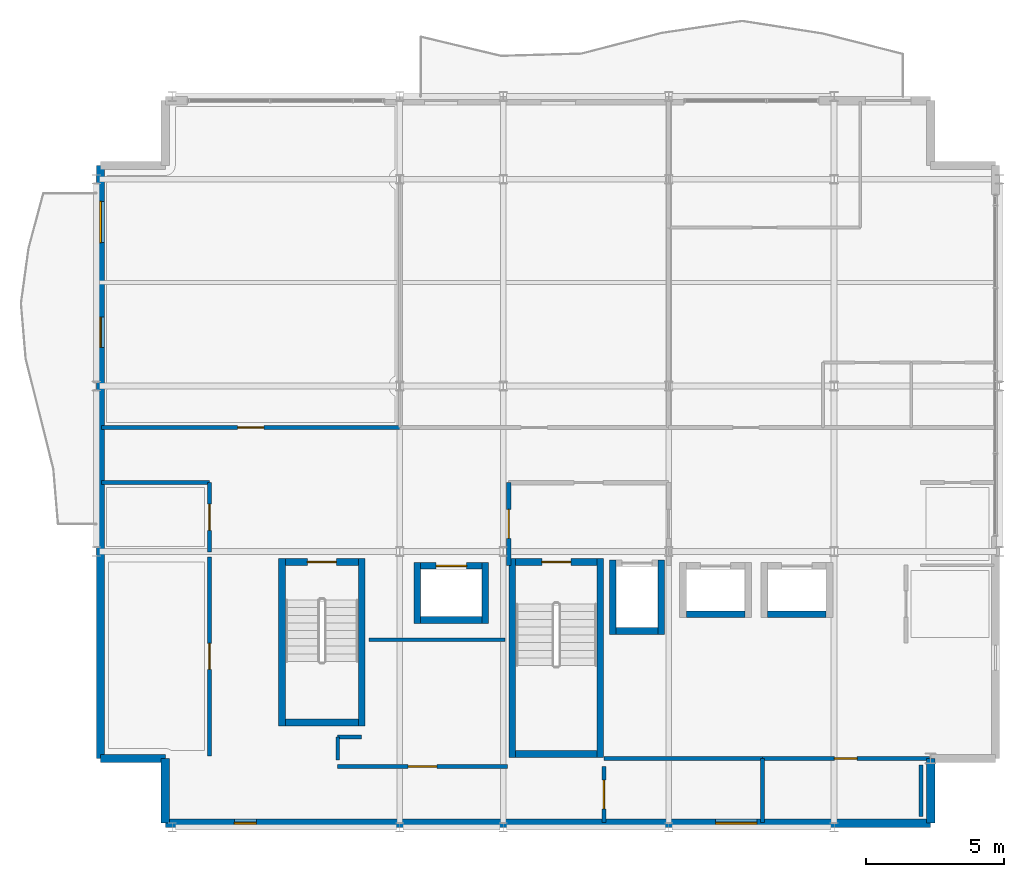
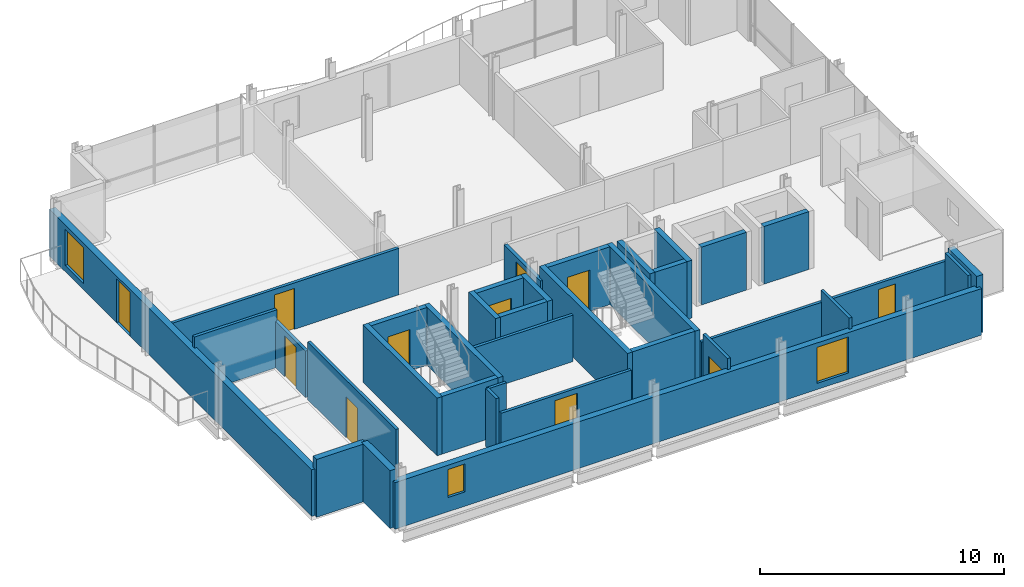
# One storey, part 8 of 12: 36 walls, 11 doors, 3 windows, 14 openings.
"""IFC4 building model written with IfcOpenShell, lengths in metres."""

from ifc_helpers import new_model, si_unit, direction, frame, frame_2d, origin, place, context, subcontext, project, spatial, rectangle, extrude, material, layer, layer_set, type_object, element, fill, save


model = new_model("IFC4")

# Units and contexts
model_context = context("Model", 3, precision=1e-05, world=origin(), true_north=direction((0.0, 1.0)))
body_context = subcontext(model_context, "Body", "Model", "MODEL_VIEW")
ifc_project = project(units=[si_unit("LENGTHUNIT", "METRE"), si_unit("AREAUNIT", "SQUARE_METRE"), si_unit("VOLUMEUNIT", "CUBIC_METRE"), si_unit("PLANEANGLEUNIT", "RADIAN"), si_unit("MASSUNIT", "GRAM", prefix="KILO")], contexts=[model_context])

# Site, building, storey
site_placement = place(None, origin())
site = spatial("IfcSite", under=ifc_project, at=site_placement, CompositionType="ELEMENT")
building_placement = place(site_placement, origin())
building = spatial("IfcBuilding", under=site, at=building_placement, Name="Brevholm Reach", CompositionType="ELEMENT")
storey_placement = place(building_placement, frame((0.0, 0.0, 233.5)))
storey = spatial("IfcBuildingStorey", under=building, at=storey_placement, Name="L71", CompositionType="ELEMENT", Elevation=233.5)

# Walls
ifc_material_1 = material(Name="Concrete C45/55", Category="concrete")
ifc_layer_1 = layer(ifc_material_1, 0.239990234375)
ifc_layer_set_1 = layer_set([ifc_layer_1], Name="Concrete C45/55")
wall_type_1 = type_object("IfcWallType", Name="WAL-COR-240", PredefinedType="SHEAR", material=ifc_layer_set_1)
for number, where, z_axis, x_axis, name in (
    (1, (42.330078125, 2.5400390625, 0.0), (0.0, 0.0, 1.0), (0.0, 1.0, 0.0), "L71 Escape Stair ST-2 Core Wall W"),
    (2, (45.52001953125, 2.5400390625, 0.0), (0.0, 0.0, 1.0), (0.0, 1.0, 0.0), "L71 Escape Stair ST-2 Core Wall E"),
):
    element("IfcWall", number, at=place(storey_placement, frame(where, z_axis=z_axis, x_axis=x_axis)), inside=storey, type_object=wall_type_1, Name=name, PredefinedType="SHEAR", context=body_context, shape_type="SweptSolid", body=[
        extrude(rectangle(XDim=7.199951171875, YDim=0.239990234375, at=frame_2d((3.60009765625, 0.0))), origin(), (0.0, 0.0, 1.0), 2.889892578125),
    ])
wall_1_placement = place(storey_placement, frame((42.449951171875, 2.659912109375, 0.0), z_axis=(0.0, 0.0, 1.0), x_axis=(1.0, 0.0, 0.0)))
element("IfcWall", 3, at=wall_1_placement, inside=storey, type_object=wall_type_1, Name="L71 Escape Stair ST-2 Core Wall S", PredefinedType="SHEAR", context=body_context, shape_type="SweptSolid", body=[
    extrude(rectangle(XDim=2.949951171875, YDim=0.239990234375, at=frame_2d((1.47509765625, 0.0))), origin(), (0.0, 0.0, 1.0), 2.889892578125),
])

# Wall, opening, door
wall_2_placement = place(storey_placement, frame((45.39990234375, 9.6201171875, 0.0), z_axis=(0.0, 0.0, 1.0), x_axis=(-1.0, 0.0, 0.0)))
wall_2 = element("IfcWall", 4, at=wall_2_placement, inside=storey, type_object=wall_type_1, Name="L71 Escape Stair ST-2 Core Wall N", PredefinedType="SHEAR", context=body_context, shape_type="SweptSolid", body=[
    extrude(rectangle(XDim=2.949951171875, YDim=0.239990234375, at=frame_2d((1.47509765625, 0.0))), origin(), (0.0, 0.0, 1.0), 2.889892578125),
])
opening_1_placement = place(wall_2_placement, frame((0.949951171875, 0.0, 0.0)))
opening_1 = element("IfcOpeningElement", 5, at=opening_1_placement, cuts=wall_2, Name="Opening SD-ST-2", PredefinedType="OPENING", context=body_context, shape_type="SweptSolid", body=[
    extrude(rectangle(XDim=1.050048828125, YDim=2.06005859375, at=frame_2d((0.52490234375, 1.030029296875))), frame((0.0, 0.1298828125, 0.0), z_axis=(0.0, -1.0, 0.0), x_axis=(1.0, 0.0, 0.0)), (0.0, 0.0, 1.0), 0.260009765625),
])
ifc_material_2 = material(Name="Hardwood-Lipped Steel-Core Fire and Smoke Door", Category="steel")
door_type_1 = type_object("IfcDoorType", Name="DOR-INT-FD60S", OperationType="NOTDEFINED", PredefinedType="DOOR", material=ifc_material_2)
door_1_placement = place(opening_1_placement, origin())
door_1 = element("IfcDoor", 6, at=door_1_placement, inside=storey, type_object=door_type_1, Name="L71 Protected Stair ST-2 Lobby Door", OperationType="SINGLE_SWING_RIGHT", OverallHeight=2.06005859375, OverallWidth=1.050048828125, PredefinedType="DOOR", context=body_context, shape_type="SweptSolid", body=[
    extrude(rectangle(XDim=1.050048828125, YDim=2.06005859375, at=frame_2d((0.52490234375, 1.030029296875))), frame((0.0, 0.02490234375, 0.0), z_axis=(0.0, -1.0, 0.0), x_axis=(1.0, 0.0, 0.0)), (0.0, 0.0, 1.0), 0.050048828125),
])
fill(opening_1, door_1)

# Walls
for number, where, z_axis, x_axis, name in (
    (7, (33.97998046875, 3.679931640625, 0.0), (0.0, 0.0, 1.0), (0.0, 1.0, 0.0), "L71 Escape Stair ST-3 Core Wall W"),
    (8, (36.8701171875, 3.679931640625, 0.0), (0.0, 0.0, 1.0), (0.0, 1.0, 0.0), "L71 Escape Stair ST-3 Core Wall E"),
):
    element("IfcWall", number, at=place(storey_placement, frame(where, z_axis=z_axis, x_axis=x_axis)), inside=storey, type_object=wall_type_1, Name=name, PredefinedType="SHEAR", context=body_context, shape_type="SweptSolid", body=[
        extrude(rectangle(XDim=6.06005859375, YDim=0.239990234375, at=frame_2d((3.030029296875, 0.0))), origin(), (0.0, 0.0, 1.0), 2.889892578125),
    ])
wall_3_placement = place(storey_placement, frame((34.10009765625, 3.800048828125, 0.0), z_axis=(0.0, 0.0, 1.0), x_axis=(1.0, 0.0, 0.0)))
element("IfcWall", 9, at=wall_3_placement, inside=storey, type_object=wall_type_1, Name="L71 Escape Stair ST-3 Core Wall S", PredefinedType="SHEAR", context=body_context, shape_type="SweptSolid", body=[
    extrude(rectangle(XDim=2.64990234375, YDim=0.239990234375, at=frame_2d((1.324951171875, 0.0))), origin(), (0.0, 0.0, 1.0), 2.889892578125),
])

# Wall, opening, door
wall_4_placement = place(storey_placement, frame((36.75, 9.6201171875, 0.0), z_axis=(0.0, 0.0, 1.0), x_axis=(-1.0, 0.0, 0.0)))
wall_4 = element("IfcWall", 10, at=wall_4_placement, inside=storey, type_object=wall_type_1, Name="L71 Escape Stair ST-3 Core Wall N", PredefinedType="SHEAR", context=body_context, shape_type="SweptSolid", body=[
    extrude(rectangle(XDim=2.64990234375, YDim=0.239990234375, at=frame_2d((1.324951171875, 0.0))), origin(), (0.0, 0.0, 1.0), 2.889892578125),
])
opening_2_placement = place(wall_4_placement, frame((0.800048828125, 0.0, 0.0)))
opening_2 = element("IfcOpeningElement", 11, at=opening_2_placement, cuts=wall_4, Name="Opening SD-ST-3", PredefinedType="OPENING", context=body_context, shape_type="SweptSolid", body=[
    extrude(rectangle(XDim=1.050048828125, YDim=2.06005859375, at=frame_2d((0.52490234375, 1.030029296875))), frame((0.0, 0.1298828125, 0.0), z_axis=(0.0, -1.0, 0.0), x_axis=(1.0, 0.0, 0.0)), (0.0, 0.0, 1.0), 0.260009765625),
])
door_2_placement = place(opening_2_placement, origin())
door_2 = element("IfcDoor", 12, at=door_2_placement, inside=storey, type_object=door_type_1, Name="L71 Protected Stair ST-3 Lobby Door", OperationType="SINGLE_SWING_RIGHT", OverallHeight=2.06005859375, OverallWidth=1.050048828125, PredefinedType="DOOR", context=body_context, shape_type="SweptSolid", body=[
    extrude(rectangle(XDim=1.050048828125, YDim=2.06005859375, at=frame_2d((0.52490234375, 1.030029296875))), frame((0.0, 0.02490234375, 0.0), z_axis=(0.0, -1.0, 0.0), x_axis=(1.0, 0.0, 0.0)), (0.0, 0.0, 1.0), 0.050048828125),
])
fill(opening_2, door_2)

# Walls
for number, where, z_axis, x_axis, name in (
    (13, (45.969970703125, 7.0, 0.0), (0.0, 0.0, 1.0), (0.0, 1.0, 0.0), "L71 Lift FFL-2 Shaft Wall W"),
    (14, (47.72998046875, 7.0, 0.0), (0.0, 0.0, 1.0), (0.0, 1.0, 0.0), "L71 Lift FFL-2 Shaft Wall E"),
):
    element("IfcWall", number, at=place(storey_placement, frame(where, z_axis=z_axis, x_axis=x_axis)), inside=storey, type_object=wall_type_1, Name=name, PredefinedType="SHEAR", context=body_context, shape_type="SweptSolid", body=[
        extrude(rectangle(XDim=2.699951171875, YDim=0.239990234375, at=frame_2d((1.35009765625, 0.0))), origin(), (0.0, 0.0, 1.0), 2.889892578125),
    ])
wall_5_placement = place(storey_placement, frame((46.090087890625, 7.1201171875, 0.0), z_axis=(0.0, 0.0, 1.0), x_axis=(1.0, 0.0, 0.0)))
element("IfcWall", 15, at=wall_5_placement, inside=storey, type_object=wall_type_1, Name="L71 Lift FFL-2 Shaft Wall S", PredefinedType="SHEAR", context=body_context, shape_type="SweptSolid", body=[
    extrude(rectangle(XDim=1.52001953125, YDim=0.239990234375, at=frame_2d((0.760009765625, 0.0))), origin(), (0.0, 0.0, 1.0), 2.889892578125),
])
for number, where, z_axis, x_axis, name in (
    (16, (38.889892578125, 7.39990234375, 0.0), (0.0, 0.0, 1.0), (0.0, 1.0, 0.0), "L71 Lift PL-S1 Shaft Wall W"),
    (17, (41.35009765625, 7.39990234375, 0.0), (0.0, 0.0, 1.0), (0.0, 1.0, 0.0), "L71 Lift PL-S1 Shaft Wall E"),
):
    element("IfcWall", number, at=place(storey_placement, frame(where, z_axis=z_axis, x_axis=x_axis)), inside=storey, type_object=wall_type_1, Name=name, PredefinedType="SHEAR", context=body_context, shape_type="SweptSolid", body=[
        extrude(rectangle(XDim=2.2001953125, YDim=0.239990234375, at=frame_2d((1.10009765625, 0.0))), origin(), (0.0, 0.0, 1.0), 2.889892578125),
    ])
wall_6_placement = place(storey_placement, frame((39.010009765625, 7.52001953125, 0.0), z_axis=(0.0, 0.0, 1.0), x_axis=(1.0, 0.0, 0.0)))
element("IfcWall", 18, at=wall_6_placement, inside=storey, type_object=wall_type_1, Name="L71 Lift PL-S1 Shaft Wall S", PredefinedType="SHEAR", context=body_context, shape_type="SweptSolid", body=[
    extrude(rectangle(XDim=2.219970703125, YDim=0.239990234375, at=frame_2d((1.10986328125, 0.0))), origin(), (0.0, 0.0, 1.0), 2.889892578125),
])

# Wall, opening, door
wall_7_placement = place(storey_placement, frame((39.010009765625, 9.47998046875, 0.0), z_axis=(0.0, 0.0, 1.0), x_axis=(1.0, 0.0, 0.0)))
wall_7 = element("IfcWall", 19, at=wall_7_placement, inside=storey, type_object=wall_type_1, Name="L71 Lift PL-S1 Shaft Wall N", PredefinedType="SHEAR", context=body_context, shape_type="SweptSolid", body=[
    extrude(rectangle(XDim=2.219970703125, YDim=0.239990234375, at=frame_2d((1.10986328125, 0.0))), origin(), (0.0, 0.0, 1.0), 2.889892578125),
])
opening_3_placement = place(wall_7_placement, frame((0.56005859375, 0.0, 0.0)))
opening_3 = element("IfcOpeningElement", 20, at=opening_3_placement, cuts=wall_7, Name="Opening LD-PL-S1", PredefinedType="OPENING", context=body_context, shape_type="SweptSolid", body=[
    extrude(rectangle(XDim=1.10009765625, YDim=2.06005859375, at=frame_2d((0.550048828125, 1.030029296875))), frame((0.0, 0.1298828125, 0.0), z_axis=(0.0, -1.0, 0.0), x_axis=(1.0, 0.0, 0.0)), (0.0, 0.0, 1.0), 0.260009765625),
])
ifc_material_3 = material(Name="Brushed Stainless Steel Fire-Rated Sliding Lift Door", Category="steel")
door_type_2 = type_object("IfcDoorType", Name="DOR-LFT-1100", OperationType="NOTDEFINED", PredefinedType="DOOR", material=ifc_material_3)
door_3_placement = place(opening_3_placement, origin())
door_3 = element("IfcDoor", 21, at=door_3_placement, inside=storey, type_object=door_type_2, Name="L71 Lift PL-S1 Sliding Landing Door", OperationType="SLIDING_TO_LEFT", OverallHeight=2.06005859375, OverallWidth=1.10009765625, PredefinedType="DOOR", context=body_context, shape_type="SweptSolid", body=[
    extrude(rectangle(XDim=1.10009765625, YDim=2.06005859375, at=frame_2d((0.550048828125, 1.030029296875))), frame((0.0, 0.02490234375, 0.0), z_axis=(0.0, -1.0, 0.0), x_axis=(1.0, 0.0, 0.0)), (0.0, 0.0, 1.0), 0.050048828125),
])
fill(opening_3, door_3)

# Walls
wall_8_placement = place(storey_placement, frame((48.639892578125, 7.719970703125, 0.0), z_axis=(0.0, 0.0, 1.0), x_axis=(1.0, 0.0, 0.0)))
element("IfcWall", 22, at=wall_8_placement, inside=storey, type_object=wall_type_1, Name="L71 Lift PL-H1 Shaft Wall S", PredefinedType="SHEAR", context=body_context, shape_type="SweptSolid", body=[
    extrude(rectangle(XDim=2.1201171875, YDim=0.239990234375, at=frame_2d((1.06005859375, 0.0))), origin(), (0.0, 0.0, 1.0), 2.889892578125),
])
wall_9_placement = place(storey_placement, frame((51.590087890625, 7.719970703125, 0.0), z_axis=(0.0, 0.0, 1.0), x_axis=(1.0, 0.0, 0.0)))
element("IfcWall", 23, at=wall_9_placement, inside=storey, type_object=wall_type_1, Name="L71 Lift PL-H2 Shaft Wall S", PredefinedType="SHEAR", context=body_context, shape_type="SweptSolid", body=[
    extrude(rectangle(XDim=2.119873046875, YDim=0.239990234375, at=frame_2d((1.06005859375, 0.0))), origin(), (0.0, 0.0, 1.0), 2.889892578125),
])
ifc_material_4 = material(Name="Concrete C40/50", Category="concrete")
ifc_layer_2 = layer(ifc_material_4, 0.300048828125)
ifc_layer_set_2 = layer_set([ifc_layer_2], Name="Concrete C40/50")
wall_type_2 = type_object("IfcWallType", Name="WAL-EXT-300", PredefinedType="STANDARD", material=ifc_layer_set_2)
for number, where, z_axis, x_axis, name in (
    (24, (29.75, 2.5, 0.0), (0.0, 0.0, 1.0), (0.0, -1.0, 0.0), "L71 Facade Wall WAL-L71-CSW1"),
    (25, (27.39990234375, 2.5, 0.0), (0.0, 0.0, 1.0), (1.0, 0.0, 0.0), "L71 Facade Wall WAL-L71-CSW2"),
    (26, (57.5, 0.14990234375, 0.0), (0.0, 0.0, 1.0), (0.0, 1.0, 0.0), "L71 Facade Wall WAL-L71-CSE1"),
):
    element("IfcWall", number, at=place(storey_placement, frame(where, z_axis=z_axis, x_axis=x_axis)), inside=storey, type_object=wall_type_2, Name=name, PredefinedType="STANDARD", context=body_context, shape_type="SweptSolid", body=[
        extrude(rectangle(XDim=2.35009765625, YDim=0.300048828125, at=frame_2d((1.175048828125, 0.0))), origin(), (0.0, 0.0, 1.0), 2.889892578125),
    ])

# Wall, openings, windows
wall_10_placement = place(storey_placement, frame((29.75, 0.14990234375, 0.0), z_axis=(0.0, 0.0, 1.0), x_axis=(1.0, 0.0, 0.0)))
wall_10 = element("IfcWall", 27, at=wall_10_placement, inside=storey, type_object=wall_type_2, Name="L71 Facade Wall WAL-L71-S", PredefinedType="STANDARD", context=body_context, shape_type="SweptSolid", body=[
    extrude(rectangle(XDim=27.75, YDim=0.300048828125, at=frame_2d((13.875, 0.0))), origin(), (0.0, 0.0, 1.0), 2.331787109375),
])
opening_4_placement = place(wall_10_placement, frame((2.5, 0.0, 0.7119140625)))
opening_4 = element("IfcOpeningElement", 28, at=opening_4_placement, cuts=wall_10, Name="Opening WN-11", PredefinedType="OPENING", context=body_context, shape_type="SweptSolid", body=[
    extrude(rectangle(XDim=0.800048828125, YDim=1.39990234375, at=frame_2d((0.39990234375, 0.699951171875))), frame((0.0, 0.159912109375, 0.0), z_axis=(0.0, -1.0, 0.0), x_axis=(1.0, 0.0, 0.0)), (0.0, 0.0, 1.0), 0.320068359375),
])
opening_5_placement = place(wall_10_placement, frame((19.949951171875, 0.0, 0.31201171875)))
opening_5 = element("IfcOpeningElement", 29, at=opening_5_placement, cuts=wall_10, Name="Opening WN-05", PredefinedType="OPENING", context=body_context, shape_type="SweptSolid", body=[
    extrude(rectangle(XDim=1.5, YDim=1.800048828125, at=frame_2d((0.75, 0.89990234375))), frame((0.0, 0.159912109375, 0.0), z_axis=(0.0, -1.0, 0.0), x_axis=(1.0, 0.0, 0.0)), (0.0, 0.0, 1.0), 0.320068359375),
])
ifc_material_5 = material(Name="Dark Anodised Aluminium and Solar-Control IGU Glass", Category="aluminium")
window_type_1 = type_object("IfcWindowType", Name="WIN-COR-0800", PartitioningType="SINGLE_PANEL", PredefinedType="WINDOW", material=ifc_material_5)
window_1_placement = place(opening_4_placement, origin())
window_1 = element("IfcWindow", 30, at=window_1_placement, inside=storey, type_object=window_type_1, Name="L71 Window WIN-L71-S-1", OverallHeight=1.39990234375, OverallWidth=0.800048828125, PartitioningType="SINGLE_PANEL", PredefinedType="WINDOW", context=body_context, shape_type="SweptSolid", body=[
    extrude(rectangle(XDim=0.800048828125, YDim=1.39990234375, at=frame_2d((0.39990234375, 0.699951171875))), frame((0.0, 0.030029296875, 0.0), z_axis=(0.0, -1.0, 0.0), x_axis=(1.0, 0.0, 0.0)), (0.0, 0.0, 1.0), 0.06005859375),
])
fill(opening_4, window_1)
ifc_material_6 = material(Name="Dark Anodised Aluminium and Solar-Control IGU Glass", Category="aluminium")
window_type_2 = type_object("IfcWindowType", Name="WIN-RES-1500", PartitioningType="SINGLE_PANEL", PredefinedType="WINDOW", material=ifc_material_6)
window_2_placement = place(opening_5_placement, origin())
window_2 = element("IfcWindow", 31, at=window_2_placement, inside=storey, type_object=window_type_2, Name="L71 Window WIN-L71-S-2", OverallHeight=1.800048828125, OverallWidth=1.5, PartitioningType="SINGLE_PANEL", PredefinedType="WINDOW", context=body_context, shape_type="SweptSolid", body=[
    extrude(rectangle(XDim=1.5, YDim=1.800048828125, at=frame_2d((0.75, 0.89990234375))), frame((0.0, 0.030029296875, 0.0), z_axis=(0.0, -1.0, 0.0), x_axis=(1.0, 0.0, 0.0)), (0.0, 0.0, 1.0), 0.06005859375),
])
fill(opening_5, window_2)

# Wall, openings, door, window
wall_11_placement = place(storey_placement, frame((27.39990234375, 24.0, 0.0), z_axis=(0.0, 0.0, 1.0), x_axis=(0.0, -1.0, 0.0)))
wall_11 = element("IfcWall", 32, at=wall_11_placement, inside=storey, type_object=wall_type_2, Name="L71 Facade Wall WAL-L71-W", PredefinedType="STANDARD", context=body_context, shape_type="SweptSolid", body=[
    extrude(rectangle(XDim=21.5, YDim=0.300048828125, at=frame_2d((10.75, 0.0))), origin(), (0.0, 0.0, 1.0), 2.331787109375),
])
opening_6_placement = place(wall_11_placement, frame((5.5, 0.0, 0.0)))
opening_6 = element("IfcOpeningElement", 33, at=opening_6_placement, cuts=wall_11, Name="Opening BD-01", PredefinedType="OPENING", context=body_context, shape_type="SweptSolid", body=[
    extrude(rectangle(XDim=1.10009765625, YDim=2.199951171875, at=frame_2d((0.550048828125, 1.10009765625))), frame((0.0, 0.159912109375, 0.0), z_axis=(0.0, -1.0, 0.0), x_axis=(1.0, 0.0, 0.0)), (0.0, 0.0, 1.0), 0.320068359375),
])
opening_7_placement = place(wall_11_placement, frame((1.300048828125, 0.0, 0.31201171875)))
opening_7 = element("IfcOpeningElement", 34, at=opening_7_placement, cuts=wall_11, Name="Opening WN-05", PredefinedType="OPENING", context=body_context, shape_type="SweptSolid", body=[
    extrude(rectangle(XDim=1.5, YDim=1.800048828125, at=frame_2d((0.75, 0.89990234375))), frame((0.0, 0.159912109375, 0.0), z_axis=(0.0, -1.0, 0.0), x_axis=(1.0, 0.0, 0.0)), (0.0, 0.0, 1.0), 0.320068359375),
])
ifc_material_7 = material(Name="Dark Anodised Aluminium and Triple-Glazed Glass", Category="aluminium")
door_type_3 = type_object("IfcDoorType", Name="DOR-BALC-1100", OperationType="NOTDEFINED", PredefinedType="DOOR", material=ifc_material_7)
door_4_placement = place(opening_6_placement, origin())
door_4 = element("IfcDoor", 35, at=door_4_placement, inside=storey, type_object=door_type_3, Name="L71 Exterior Door DOR-L71-SLOT", OperationType="SINGLE_SWING_LEFT", OverallHeight=2.199951171875, OverallWidth=1.10009765625, PredefinedType="DOOR", context=body_context, shape_type="SweptSolid", body=[
    extrude(rectangle(XDim=1.10009765625, YDim=2.199951171875, at=frame_2d((0.550048828125, 1.10009765625))), frame((0.0, 0.02490234375, 0.0), z_axis=(0.0, -1.0, 0.0), x_axis=(1.0, 0.0, 0.0)), (0.0, 0.0, 1.0), 0.050048828125),
])
fill(opening_6, door_4)
window_3_placement = place(opening_7_placement, origin())
window_3 = element("IfcWindow", 36, at=window_3_placement, inside=storey, type_object=window_type_2, Name="L71 Window WIN-L71-W-1", OverallHeight=1.800048828125, OverallWidth=1.5, PartitioningType="SINGLE_PANEL", PredefinedType="WINDOW", context=body_context, shape_type="SweptSolid", body=[
    extrude(rectangle(XDim=1.5, YDim=1.800048828125, at=frame_2d((0.75, 0.89990234375))), frame((0.0, 0.030029296875, 0.0), z_axis=(0.0, -1.0, 0.0), x_axis=(1.0, 0.0, 0.0)), (0.0, 0.0, 1.0), 0.06005859375),
])
fill(opening_7, window_3)

# Wall, opening, door
ifc_material_8 = material(Name="Twin-Stud Acoustic Fire-Rated Gypsum Partition 140 mm", Category="gypsum")
ifc_layer_3 = layer(ifc_material_8, 0.139892578125)
ifc_layer_set_3 = layer_set([ifc_layer_3], Name="Twin-Stud Acoustic Fire-Rated Gypsum Partition 140 mm")
wall_type_3 = type_object("IfcWallType", Name="WAL-PRT-140", PredefinedType="PARTITIONING", material=ifc_layer_set_3)
wall_12_placement = place(storey_placement, frame((31.35009765625, 2.588623046875, 0.0), z_axis=(0.0, 0.0, 1.0), x_axis=(0.0, 1.0, 0.0)))
wall_12 = element("IfcWall", 37, at=wall_12_placement, inside=storey, type_object=wall_type_3, Name="L71 Internal Partition 001", PredefinedType="PARTITIONING", context=body_context, shape_type="SweptSolid", body=[
    extrude(rectangle(XDim=7.22265625, YDim=0.139892578125, at=frame_2d((3.611328125, 0.0))), origin(), (0.0, 0.0, 1.0), 2.889892578125),
])
opening_8_placement = place(wall_12_placement, frame((3.13623046875, 0.0, 0.0)))
opening_8 = element("IfcOpeningElement", 38, at=opening_8_placement, cuts=wall_12, Name="Opening ID-30", PredefinedType="OPENING", context=body_context, shape_type="SweptSolid", body=[
    extrude(rectangle(XDim=0.949951171875, YDim=2.050048828125, at=frame_2d((0.47509765625, 1.02490234375))), frame((0.0, 0.079833984375, 0.0), z_axis=(0.0, -1.0, 0.0), x_axis=(1.0, 0.0, 0.0)), (0.0, 0.0, 1.0), 0.159912109375),
])
ifc_material_9 = material(Name="European Oak Veneered Solid-Core Fire Entrance Door", Category="timber")
door_type_4 = type_object("IfcDoorType", Name="DOR-FLT-FD30S", OperationType="NOTDEFINED", PredefinedType="DOOR", material=ifc_material_9)
door_5_placement = place(opening_8_placement, origin())
door_5 = element("IfcDoor", 39, at=door_5_placement, inside=storey, type_object=door_type_4, Name="L71 Internal Door 001", OperationType="SINGLE_SWING_LEFT", OverallHeight=2.050048828125, OverallWidth=0.949951171875, PredefinedType="DOOR", context=body_context, shape_type="SweptSolid", body=[
    extrude(rectangle(XDim=0.949951171875, YDim=2.050048828125, at=frame_2d((0.47509765625, 1.02490234375))), frame((0.0, 0.02490234375, 0.0), z_axis=(0.0, -1.0, 0.0), x_axis=(1.0, 0.0, 0.0)), (0.0, 0.0, 1.0), 0.050048828125),
])
fill(opening_8, door_5)

wall_13_placement = place(storey_placement, frame((31.35009765625, 9.98876953125, 0.0), z_axis=(0.0, 0.0, 1.0), x_axis=(0.0, 1.0, 0.0)))
wall_13 = element("IfcWall", 40, at=wall_13_placement, inside=storey, type_object=wall_type_3, Name="L71 Internal Partition 002", PredefinedType="PARTITIONING", context=body_context, shape_type="SweptSolid", body=[
    extrude(rectangle(XDim=2.51123046875, YDim=0.139892578125, at=frame_2d((1.255615234375, 0.0))), origin(), (0.0, 0.0, 1.0), 2.325439453125),
])
opening_9_placement = place(wall_13_placement, frame((0.78076171875, 0.0, 0.0)))
opening_9 = element("IfcOpeningElement", 41, at=opening_9_placement, cuts=wall_13, Name="Opening ID-30", PredefinedType="OPENING", context=body_context, shape_type="SweptSolid", body=[
    extrude(rectangle(XDim=0.949951171875, YDim=2.050048828125, at=frame_2d((0.47509765625, 1.02490234375))), frame((0.0, 0.079833984375, 0.0), z_axis=(0.0, -1.0, 0.0), x_axis=(1.0, 0.0, 0.0)), (0.0, 0.0, 1.0), 0.159912109375),
])
door_6_placement = place(opening_9_placement, origin())
door_6 = element("IfcDoor", 42, at=door_6_placement, inside=storey, type_object=door_type_4, Name="L71 Internal Door 002", OperationType="SINGLE_SWING_RIGHT", OverallHeight=2.050048828125, OverallWidth=0.949951171875, PredefinedType="DOOR", context=body_context, shape_type="SweptSolid", body=[
    extrude(rectangle(XDim=0.949951171875, YDim=2.050048828125, at=frame_2d((0.47509765625, 1.02490234375))), frame((0.0, 0.02490234375, 0.0), z_axis=(0.0, -1.0, 0.0), x_axis=(1.0, 0.0, 0.0)), (0.0, 0.0, 1.0), 0.050048828125),
])
fill(opening_9, door_6)

wall_14_placement = place(storey_placement, frame((35.98876953125, 2.199951171875, 0.0), z_axis=(0.0, 0.0, 1.0), x_axis=(1.0, 0.0, 0.0)))
wall_14 = element("IfcWall", 43, at=wall_14_placement, inside=storey, type_object=wall_type_3, Name="L71 Internal Partition 003", PredefinedType="PARTITIONING", context=body_context, shape_type="SweptSolid", body=[
    extrude(rectangle(XDim=6.172607421875, YDim=0.139892578125, at=frame_2d((3.08642578125, 0.0))), origin(), (0.0, 0.0, 1.0), 2.325439453125),
])
opening_10_placement = place(wall_14_placement, frame((2.561279296875, 0.0, 0.0)))
opening_10 = element("IfcOpeningElement", 44, at=opening_10_placement, cuts=wall_14, Name="Opening FD-01", PredefinedType="OPENING", context=body_context, shape_type="SweptSolid", body=[
    extrude(rectangle(XDim=1.050048828125, YDim=2.06005859375, at=frame_2d((0.52490234375, 1.030029296875))), frame((0.0, 0.079833984375, 0.0), z_axis=(0.0, -1.0, 0.0), x_axis=(1.0, 0.0, 0.0)), (0.0, 0.0, 1.0), 0.159912109375),
])
door_7_placement = place(opening_10_placement, origin())
door_7 = element("IfcDoor", 45, at=door_7_placement, inside=storey, type_object=door_type_1, Name="L71 Internal Door 003", OperationType="SINGLE_SWING_LEFT", OverallHeight=2.06005859375, OverallWidth=1.050048828125, PredefinedType="DOOR", context=body_context, shape_type="SweptSolid", body=[
    extrude(rectangle(XDim=1.050048828125, YDim=2.06005859375, at=frame_2d((0.52490234375, 1.030029296875))), frame((0.0, 0.02490234375, 0.0), z_axis=(0.0, -1.0, 0.0), x_axis=(1.0, 0.0, 0.0)), (0.0, 0.0, 1.0), 0.050048828125),
])
fill(opening_10, door_7)

wall_15_placement = place(storey_placement, frame((45.64990234375, 0.179931640625, 0.0), z_axis=(0.0, 0.0, 1.0), x_axis=(0.0, 1.0, 0.0)))
wall_15 = element("IfcWall", 46, at=wall_15_placement, inside=storey, type_object=wall_type_3, Name="L71 Internal Partition 004", PredefinedType="PARTITIONING", context=body_context, shape_type="SweptSolid", body=[
    extrude(rectangle(XDim=2.02001953125, YDim=0.139892578125, at=frame_2d((1.010009765625, 0.0))), origin(), (0.0, 0.0, 1.0), 2.889892578125),
])
opening_11_placement = place(wall_15_placement, frame((0.485107421875, 0.0, 0.0)))
opening_11 = element("IfcOpeningElement", 47, at=opening_11_placement, cuts=wall_15, Name="Opening FD-01", PredefinedType="OPENING", context=body_context, shape_type="SweptSolid", body=[
    extrude(rectangle(XDim=1.050048828125, YDim=2.06005859375, at=frame_2d((0.52490234375, 1.030029296875))), frame((0.0, 0.079833984375, 0.0), z_axis=(0.0, -1.0, 0.0), x_axis=(1.0, 0.0, 0.0)), (0.0, 0.0, 1.0), 0.159912109375),
])
door_8_placement = place(opening_11_placement, origin())
door_8 = element("IfcDoor", 48, at=door_8_placement, inside=storey, type_object=door_type_1, Name="L71 Internal Door 004", OperationType="SINGLE_SWING_RIGHT", OverallHeight=2.06005859375, OverallWidth=1.050048828125, PredefinedType="DOOR", context=body_context, shape_type="SweptSolid", body=[
    extrude(rectangle(XDim=1.050048828125, YDim=2.06005859375, at=frame_2d((0.52490234375, 1.030029296875))), frame((0.0, 0.02490234375, 0.0), z_axis=(0.0, -1.0, 0.0), x_axis=(1.0, 0.0, 0.0)), (0.0, 0.0, 1.0), 0.050048828125),
])
fill(opening_11, door_8)

# Wall
wall_16_placement = place(storey_placement, frame((45.64990234375, 2.5, 0.0), z_axis=(0.0, 0.0, 1.0), x_axis=(1.0, 0.0, 0.0)))
element("IfcWall", 49, at=wall_16_placement, inside=storey, type_object=wall_type_3, Name="L71 Internal Partition 006", PredefinedType="PARTITIONING", context=body_context, shape_type="SweptSolid", body=[
    extrude(rectangle(XDim=5.761474609375, YDim=0.139892578125, at=frame_2d((2.880859375, 0.0))), origin(), (0.0, 0.0, 1.0), 2.325439453125),
])

# Wall, opening, door
wall_17_placement = place(storey_placement, frame((51.392578125, 2.5, 0.0), z_axis=(0.0, 0.0, 1.0), x_axis=(1.0, 0.0, 0.0)))
wall_17 = element("IfcWall", 50, at=wall_17_placement, inside=storey, type_object=wall_type_3, Name="L71 Internal Partition 007", PredefinedType="PARTITIONING", context=body_context, shape_type="SweptSolid", body=[
    extrude(rectangle(XDim=6.057373046875, YDim=0.139892578125, at=frame_2d((3.02880859375, 0.0))), origin(), (0.0, 0.0, 1.0), 2.325439453125),
])
opening_12_placement = place(wall_17_placement, frame((2.61865234375, 0.0, 0.0)))
opening_12 = element("IfcOpeningElement", 51, at=opening_12_placement, cuts=wall_17, Name="Opening ID-02", PredefinedType="OPENING", context=body_context, shape_type="SweptSolid", body=[
    extrude(rectangle(XDim=0.820068359375, YDim=2.02001953125, at=frame_2d((0.41015625, 1.010009765625))), frame((0.0, 0.079833984375, 0.0), z_axis=(0.0, -1.0, 0.0), x_axis=(1.0, 0.0, 0.0)), (0.0, 0.0, 1.0), 0.159912109375),
])
ifc_material_10 = material(Name="Moisture-Resistant Painted Timber Fire-Rated Riser and Service Door", Category="wood")
door_type_5 = type_object("IfcDoorType", Name="DOR-SRV-820", OperationType="NOTDEFINED", PredefinedType="DOOR", material=ifc_material_10)
door_9_placement = place(opening_12_placement, origin())
door_9 = element("IfcDoor", 52, at=door_9_placement, inside=storey, type_object=door_type_5, Name="L71 Internal Door 006", OperationType="SINGLE_SWING_RIGHT", OverallHeight=2.02001953125, OverallWidth=0.820068359375, PredefinedType="DOOR", context=body_context, shape_type="SweptSolid", body=[
    extrude(rectangle(XDim=0.820068359375, YDim=2.02001953125, at=frame_2d((0.41015625, 1.010009765625))), frame((0.0, 0.02490234375, 0.0), z_axis=(0.0, -1.0, 0.0), x_axis=(1.0, 0.0, 0.0)), (0.0, 0.0, 1.0), 0.050048828125),
])
fill(opening_12, door_9)

# Walls
wall_18_placement = place(storey_placement, frame((51.39990234375, 0.179931640625, 0.0), z_axis=(0.0, 0.0, 1.0), x_axis=(0.0, 1.0, 0.0)))
element("IfcWall", 53, at=wall_18_placement, inside=storey, type_object=wall_type_3, Name="L71 Internal Partition 008", PredefinedType="PARTITIONING", context=body_context, shape_type="SweptSolid", body=[
    extrude(rectangle(XDim=2.316162109375, YDim=0.139892578125, at=frame_2d((1.158203125, 0.0))), origin(), (0.0, 0.0, 1.0), 2.889892578125),
])
wall_19_placement = place(storey_placement, frame((27.429931640625, 12.5, 0.0), z_axis=(0.0, 0.0, 1.0), x_axis=(1.0, 0.0, 0.0)))
element("IfcWall", 54, at=wall_19_placement, inside=storey, type_object=wall_type_3, Name="L71 Internal Partition 014", PredefinedType="PARTITIONING", context=body_context, shape_type="SweptSolid", body=[
    extrude(rectangle(XDim=3.916015625, YDim=0.139892578125, at=frame_2d((1.9580078125, 0.0))), origin(), (0.0, 0.0, 1.0), 2.889892578125),
])

# Wall, opening, door
wall_20_placement = place(storey_placement, frame((27.429931640625, 14.5, 0.0), z_axis=(0.0, 0.0, 1.0), x_axis=(1.0, 0.0, 0.0)))
wall_20 = element("IfcWall", 55, at=wall_20_placement, inside=storey, type_object=wall_type_3, Name="L71 Internal Partition 015", PredefinedType="PARTITIONING", context=body_context, shape_type="SweptSolid", body=[
    extrude(rectangle(XDim=10.831298828125, YDim=0.139892578125, at=frame_2d((5.41552734375, 0.0))), origin(), (0.0, 0.0, 1.0), 2.325439453125),
])
opening_13_placement = place(wall_20_placement, frame((4.940673828125, 0.0, 0.0)))
opening_13 = element("IfcOpeningElement", 56, at=opening_13_placement, cuts=wall_20, Name="Opening ID-30", PredefinedType="OPENING", context=body_context, shape_type="SweptSolid", body=[
    extrude(rectangle(XDim=0.949951171875, YDim=2.050048828125, at=frame_2d((0.47509765625, 1.02490234375))), frame((0.0, 0.079833984375, 0.0), z_axis=(0.0, -1.0, 0.0), x_axis=(1.0, 0.0, 0.0)), (0.0, 0.0, 1.0), 0.159912109375),
])
door_10_placement = place(opening_13_placement, origin())
door_10 = element("IfcDoor", 57, at=door_10_placement, inside=storey, type_object=door_type_4, Name="L71 Internal Door 011", OperationType="SINGLE_SWING_LEFT", OverallHeight=2.050048828125, OverallWidth=0.949951171875, PredefinedType="DOOR", context=body_context, shape_type="SweptSolid", body=[
    extrude(rectangle(XDim=0.949951171875, YDim=2.050048828125, at=frame_2d((0.47509765625, 1.02490234375))), frame((0.0, 0.02490234375, 0.0), z_axis=(0.0, -1.0, 0.0), x_axis=(1.0, 0.0, 0.0)), (0.0, 0.0, 1.0), 0.050048828125),
])
fill(opening_13, door_10)

# Walls
wall_21_placement = place(storey_placement, frame((37.139892578125, 6.800048828125, 0.0), z_axis=(0.0, 0.0, 1.0), x_axis=(1.0, 0.0, 0.0)))
element("IfcWall", 58, at=wall_21_placement, inside=storey, type_object=wall_type_3, Name="L71 Internal Partition 029", PredefinedType="PARTITIONING", context=body_context, shape_type="SweptSolid", body=[
    extrude(rectangle(XDim=4.920166015625, YDim=0.139892578125, at=frame_2d((2.4599609375, 0.0))), origin(), (0.0, 0.0, 1.0), 2.325439453125),
])
wall_22_placement = place(storey_placement, frame((36.0, 3.27587890625, 0.0), z_axis=(0.0, 0.0, 1.0), x_axis=(1.0, 0.0, 0.0)))
element("IfcWall", 59, at=wall_22_placement, inside=storey, type_object=wall_type_3, Name="L71 Internal Partition 030", PredefinedType="PARTITIONING", context=body_context, shape_type="SweptSolid", body=[
    extrude(rectangle(XDim=0.8701171875, YDim=0.139892578125, at=frame_2d((0.43505859375, 0.0))), origin(), (0.0, 0.0, 1.0), 2.889892578125),
])
wall_23_placement = place(storey_placement, frame((36.0, 2.43994140625, 0.0), z_axis=(0.0, 0.0, 1.0), x_axis=(0.0, 1.0, 0.0)))
element("IfcWall", 60, at=wall_23_placement, inside=storey, type_object=wall_type_3, Name="L71 Internal Partition 031", PredefinedType="PARTITIONING", context=body_context, shape_type="SweptSolid", body=[
    extrude(rectangle(XDim=0.8359375, YDim=0.139892578125, at=frame_2d((0.41796875, 0.0))), origin(), (0.0, 0.0, 1.0), 2.889892578125),
])
wall_24_placement = place(storey_placement, frame((57.14990234375, 0.389892578125, 0.0), z_axis=(0.0, 0.0, 1.0), x_axis=(0.0, 1.0, 0.0)))
element("IfcWall", 61, at=wall_24_placement, inside=storey, type_object=wall_type_3, Name="L71 Internal Partition 032", PredefinedType="PARTITIONING", context=body_context, shape_type="SweptSolid", body=[
    extrude(rectangle(XDim=1.8701171875, YDim=0.139892578125, at=frame_2d((0.93505859375, 0.0))), origin(), (0.0, 0.0, 1.0), 2.889892578125),
])

# Wall, opening, door
ifc_material_11 = material(Name="Twin-Frame Fire-Rated Gypsum Board and Mineral Wool 160 mm", Category="gypsum")
ifc_layer_4 = layer(ifc_material_11, 0.159912109375)
ifc_layer_set_4 = layer_set([ifc_layer_4], Name="Twin-Frame Fire-Rated Gypsum Board and Mineral Wool 160 mm")
wall_type_4 = type_object("IfcWallType", Name="WAL-PRT-160", PredefinedType="PARTITIONING", material=ifc_layer_set_4)
wall_25_placement = place(storey_placement, frame((42.199951171875, 9.5, 0.0), z_axis=(0.0, 0.0, 1.0), x_axis=(0.0, 1.0, 0.0)))
wall_25 = element("IfcWall", 62, at=wall_25_placement, inside=storey, type_object=wall_type_4, Name="L71 Internal Partition 009", PredefinedType="PARTITIONING", context=body_context, shape_type="SweptSolid", body=[
    extrude(rectangle(XDim=3.0, YDim=0.159912109375, at=frame_2d((1.5, 0.0))), origin(), (0.0, 0.0, 1.0), 2.325439453125),
])
opening_14_placement = place(wall_25_placement, frame((0.97509765625, 0.0, 0.0)))
opening_14 = element("IfcOpeningElement", 63, at=opening_14_placement, cuts=wall_25, Name="Opening FD-01", PredefinedType="OPENING", context=body_context, shape_type="SweptSolid", body=[
    extrude(rectangle(XDim=1.050048828125, YDim=2.06005859375, at=frame_2d((0.52490234375, 1.030029296875))), frame((0.0, 0.08984375, 0.0), z_axis=(0.0, -1.0, 0.0), x_axis=(1.0, 0.0, 0.0)), (0.0, 0.0, 1.0), 0.179931640625),
])
door_11_placement = place(opening_14_placement, origin())
door_11 = element("IfcDoor", 64, at=door_11_placement, inside=storey, type_object=door_type_1, Name="L71 Internal Door 007", OperationType="SINGLE_SWING_LEFT", OverallHeight=2.06005859375, OverallWidth=1.050048828125, PredefinedType="DOOR", context=body_context, shape_type="SweptSolid", body=[
    extrude(rectangle(XDim=1.050048828125, YDim=2.06005859375, at=frame_2d((0.52490234375, 1.030029296875))), frame((0.0, 0.02490234375, 0.0), z_axis=(0.0, -1.0, 0.0), x_axis=(1.0, 0.0, 0.0)), (0.0, 0.0, 1.0), 0.050048828125),
])
fill(opening_14, door_11)

save(model, "model.ifc")
